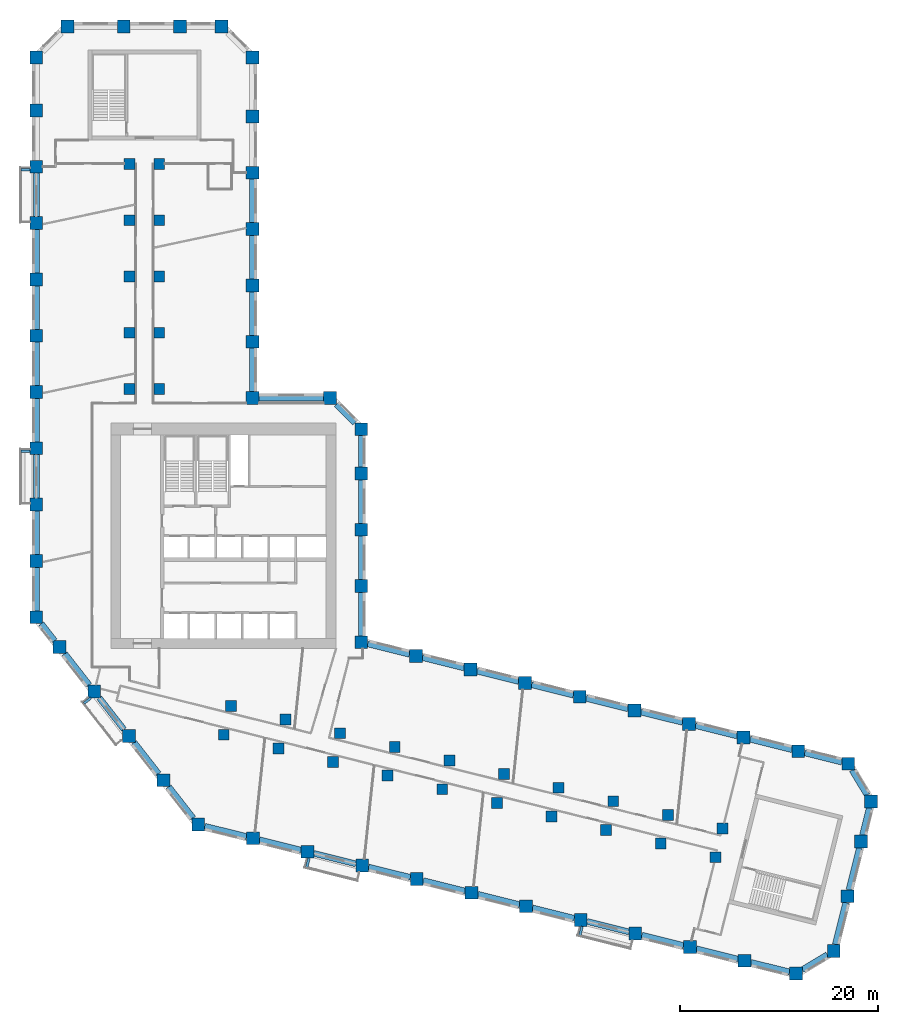
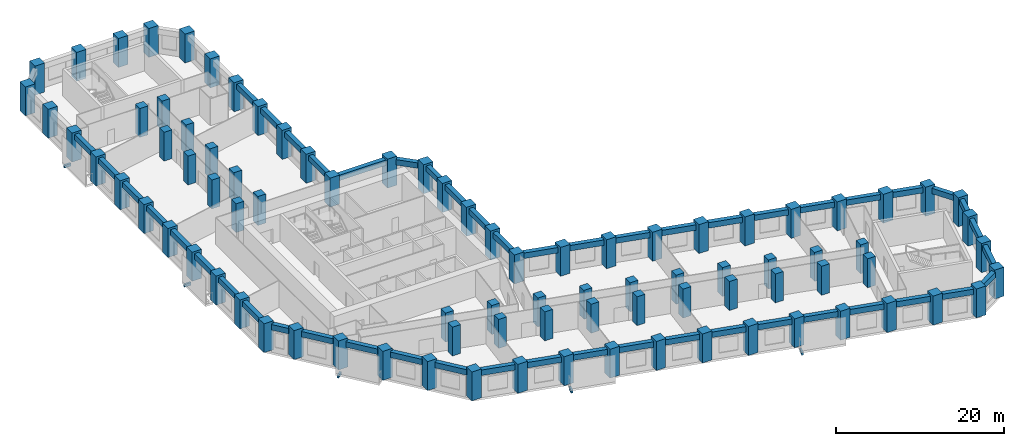
# One storey, part 1 of 11: 87 columns, 53 beams.
"""IFC4 building model written with IfcOpenShell, lengths in metres."""

import ifcopenshell
import ifcopenshell.guid

model = None  # the IFC model being written
_history = None  # IfcOwnerHistory: only IFC2X3 demands one
_inside = {}  # id of a spatial element -> (the spatial element, [elements in it])
_under = {}  # id of a project, library or spatial element -> (it, [spatial elements below it])
_declared = {}  # id of a project -> (the project, [libraries it declares])
_typed = {}  # id of a type object -> (the type object, [elements of that type])
_made_of = {}  # id of a material, layer set ... -> (it, [elements and type objects made of it])


def new_model(schema):
    """Start an empty IFC model of exactly this schema.

    Asked for "IFC4X3", IfcOpenShell would pick the latest addendum, in which some entities
    have other attributes; the version numbers below select the first issue.
    IFC2X3 requires an IfcOwnerHistory on every rooted entity: one is made here for all.
    """
    global model, _history
    if schema == "IFC4X3":
        model = ifcopenshell.file(schema_version=(4, 3, 0, 0))
    else:
        model = ifcopenshell.file(schema=schema)
    _inside.clear()
    _under.clear()
    _declared.clear()
    _typed.clear()
    _made_of.clear()
    _history = None
    if model.schema == "IFC2X3":
        org = make("IfcOrganization", Name="unknown")
        user = make(
            "IfcPersonAndOrganization",
            ThePerson=make("IfcPerson", FamilyName="unknown"),
            TheOrganization=org,
        )
        app = make(
            "IfcApplication",
            ApplicationDeveloper=org,
            Version="unknown",
            ApplicationFullName="unknown",
            ApplicationIdentifier="unknown",
        )
        _history = make(
            "IfcOwnerHistory",
            OwningUser=user,
            OwningApplication=app,
            ChangeAction="ADDED",
            CreationDate=0,
        )
    return model


def make(cls, **values):
    """One entity of the class cls with the attributes given. An attribute that is None is left unset."""
    return model.create_entity(
        cls, **{name: value for name, value in values.items() if value is not None}
    )


def rooted(cls, **values):
    """An entity with a GlobalId (a new one), such as an element, a storey or a relation."""
    return make(cls, GlobalId=ifcopenshell.guid.new(), OwnerHistory=_history, **values)


def si_unit(unit_type, name, prefix=None):
    """IfcSIUnit, for example si_unit("LENGTHUNIT", "METRE", prefix="MILLI")."""
    return make("IfcSIUnit", UnitType=unit_type, Prefix=prefix, Name=name)


def assignment(units):
    """IfcUnitAssignment: the units of a project."""
    return None if units is None else make("IfcUnitAssignment", Units=units)


def point(xyz):
    """IfcCartesianPoint."""
    return None if xyz is None else make("IfcCartesianPoint", Coordinates=xyz)


def direction(xyz):
    """IfcDirection."""
    return None if xyz is None else make("IfcDirection", DirectionRatios=xyz)


def frame(location, z_axis=None, x_axis=None):
    """IfcAxis2Placement3D, a coordinate frame: its origin and axes. An axis left out is left unset."""
    return make(
        "IfcAxis2Placement3D",
        Location=point(location),
        Axis=direction(z_axis),
        RefDirection=direction(x_axis),
    )


def frame_2d(location, x_axis=None):
    """IfcAxis2Placement2D, a coordinate frame in the plane: its origin and x axis."""
    return make(
        "IfcAxis2Placement2D", Location=point(location), RefDirection=direction(x_axis)
    )


def origin():
    """The frame at (0, 0, 0) with its axes left unset."""
    return frame((0.0, 0.0, 0.0))


def origin_2d():
    """The frame at (0, 0) in the plane with its x axis left unset."""
    return frame_2d((0.0, 0.0))


def place(relative_to, where):
    """IfcLocalPlacement: puts the frame where relative to a parent placement (None: the world)."""
    return make(
        "IfcLocalPlacement", PlacementRelTo=relative_to, RelativePlacement=where
    )


def context(
    kind, dimensions, precision=None, world=None, true_north=None, identifier=None
):
    """IfcGeometricRepresentationContext, for example the 3D "Model" context."""
    return make(
        "IfcGeometricRepresentationContext",
        ContextIdentifier=identifier,
        ContextType=kind,
        CoordinateSpaceDimension=dimensions,
        Precision=precision,
        WorldCoordinateSystem=world,
        TrueNorth=true_north,
    )


def subcontext(parent, identifier, kind, view, scale=None):
    """IfcGeometricRepresentationSubContext, for example "Body" below "Model"."""
    return make(
        "IfcGeometricRepresentationSubContext",
        ContextIdentifier=identifier,
        ContextType=kind,
        ParentContext=parent,
        TargetScale=scale,
        TargetView=view,
    )


def project(units=None, contexts=None):
    """IfcProject with its units and contexts."""
    return rooted(
        "IfcProject",
        Name="project",
        RepresentationContexts=contexts,
        UnitsInContext=assignment(units),
    )


def spatial(cls, under=None, at=None, **own):
    """A site, building, storey or space (cls), placed at a placement, below another one or the project."""
    s = rooted(cls, ObjectPlacement=at, **own)
    if under is not None:
        _under.setdefault(under.id(), (under, []))[1].append(s)
    return s


def profile(cls, at=None, kind="AREA", **sizes):
    """A parametric profile (cls). Its sizes go by their IFC names, for example OverallWidth=200.0."""
    return make(cls, ProfileType=kind, Position=at, **sizes)


def rectangle(**sizes):
    """IfcRectangleProfileDef."""
    return profile("IfcRectangleProfileDef", **sizes)


def extrude(swept, where, along, depth):
    """IfcExtrudedAreaSolid: the profile swept, set in the frame where, extruded along a direction by depth."""
    return make(
        "IfcExtrudedAreaSolid",
        SweptArea=swept,
        Position=where,
        ExtrudedDirection=direction(along),
        Depth=depth,
    )


def shape(context_of_items, identifier, shape_type, items):
    """IfcShapeRepresentation: the items that make up one representation, for example the "Body"."""
    return make(
        "IfcShapeRepresentation",
        ContextOfItems=context_of_items,
        RepresentationIdentifier=identifier,
        RepresentationType=shape_type,
        Items=items,
    )


def material(Name=None, Category=None):
    """IfcMaterial."""
    return make("IfcMaterial", Name=Name, Category=Category)


def material_profile(
    of_material, cross_section, Name=None, Category=None, Priority=None
):
    """IfcMaterialProfile: a cross section and its material."""
    return make(
        "IfcMaterialProfile",
        Name=Name,
        Material=of_material,
        Profile=cross_section,
        Priority=Priority,
        Category=Category,
    )


def profile_set(profiles, Name=None, composite=None):
    """IfcMaterialProfileSet."""
    return make(
        "IfcMaterialProfileSet",
        Name=Name,
        MaterialProfiles=profiles,
        CompositeProfile=composite,
    )


def made_of(thing, what):
    """Note that an element or type object is made of a material, layer set ...; save() writes the relation."""
    if what is not None:
        _made_of.setdefault(what.id(), (what, []))[1].append(thing)
    return thing


def type_object(cls, material=None, **own):
    """A type object (cls), such as IfcWallType, which elements share."""
    return made_of(rooted(cls, **own), material)


def element(
    cls,
    number,
    at=None,
    inside=None,
    cuts=None,
    type_object=None,
    material=None,
    context=None,
    identifier="Body",
    shape_type=None,
    held_by="IfcProductDefinitionShape",
    body=None,
    shapes=None,
    **own,
):
    """One element of the class cls, such as IfcWall. Its Tag is "e" and its number.

    at: its placement. inside: the storey or other place that contains it. cuts: it is an
    opening in that element (IfcRelVoidsElement). A single representation is given by context,
    identifier, shape_type and body (its items); several are given by shapes. held_by: the class
    of the entity that holds the representations. save() writes the other relations.
    """
    e = rooted(cls, Tag="e%d" % number, ObjectPlacement=at, **own)
    if body is not None:
        shapes = [shape(context, identifier, shape_type, body)]
    if shapes is not None:
        e.Representation = make(held_by, Representations=shapes)
    if inside is not None:
        _inside.setdefault(inside.id(), (inside, []))[1].append(e)
    if cuts is not None:
        rooted(
            "IfcRelVoidsElement", RelatingBuildingElement=cuts, RelatedOpeningElement=e
        )
    if type_object is not None:
        _typed.setdefault(type_object.id(), (type_object, []))[1].append(e)
    return made_of(e, material)


def aggregate(whole, parts):
    """IfcRelAggregates: a whole, such as a stair, and the parts it consists of."""
    return rooted("IfcRelAggregates", RelatingObject=whole, RelatedObjects=parts)


def save(model, path):
    """Write the relations noted so far, then the file.

    IfcRelAggregates (storeys below a building ...), IfcRelContainedInSpatialStructure (elements
    in a storey), IfcRelDefinesByType, IfcRelAssociatesMaterial and IfcRelDeclares: one each for
    every whole, place, type object, material and project.
    """
    for whole, parts in _under.values():
        aggregate(whole, parts)
    for where, things in _inside.values():
        rooted(
            "IfcRelContainedInSpatialStructure",
            RelatedElements=things,
            RelatingStructure=where,
        )
    for kind, things in _typed.values():
        rooted("IfcRelDefinesByType", RelatedObjects=things, RelatingType=kind)
    for what, things in _made_of.values():
        rooted("IfcRelAssociatesMaterial", RelatedObjects=things, RelatingMaterial=what)
    for by, libraries in _declared.values():
        rooted("IfcRelDeclares", RelatingContext=by, RelatedDefinitions=libraries)
    model.write(path)


model = new_model("IFC4")

# Units and contexts
model_context = context("Model", 3, precision=1e-05, world=origin(), true_north=direction((0.0, 1.0)))
body_context = subcontext(model_context, "Body", "Model", "MODEL_VIEW")
ifc_project = project(units=[si_unit("LENGTHUNIT", "METRE"), si_unit("AREAUNIT", "SQUARE_METRE"), si_unit("VOLUMEUNIT", "CUBIC_METRE"), si_unit("PLANEANGLEUNIT", "RADIAN"), si_unit("MASSUNIT", "GRAM", prefix="KILO")], contexts=[model_context])

# Site, building, storey
site_placement = place(None, origin())
site = spatial("IfcSite", under=ifc_project, at=site_placement, CompositionType="ELEMENT")
building_placement = place(site_placement, origin())
building = spatial("IfcBuilding", under=site, at=building_placement, Name="Meshkara Civic Tower", CompositionType="ELEMENT")
storey_placement = place(building_placement, frame((0.0, 0.0, 139.199951171875)))
storey = spatial("IfcBuildingStorey", under=building, at=storey_placement, Name="L31", CompositionType="ELEMENT", Elevation=139.199951171875)

# Columns
ifc_material_1 = material(Name="Concrete C70", Category="concrete")
ifc_material_profile_1 = material_profile(ifc_material_1, rectangle(XDim=1.10009765625, YDim=1.10009765625, at=origin_2d()))
ifc_profile_set_1 = profile_set([ifc_material_profile_1], Name="Concrete C70")
column_type_1 = type_object("IfcColumnType", Name="Interior column RC 1100x1100 C70", PredefinedType="COLUMN", material=ifc_profile_set_1)
for number, where, z_axis, x_axis, name in (
    (1, (9.89990234375, 40.35009765625, 0.0), (0.0, 0.0, 1.0), (1.0, 0.0, 0.0), "Column SA1-04 L31"),
    (2, (9.89990234375, 46.050048828125, 0.0), (0.0, 0.0, 1.0), (1.0, 0.0, 0.0), "Column SA1-05 L31"),
    (3, (9.89990234375, 51.75, 0.0), (0.0, 0.0, 1.0), (1.0, 0.0, 0.0), "Column SA1-06 L31"),
    (4, (9.89990234375, 57.449951171875, 0.0), (0.0, 0.0, 1.0), (1.0, 0.0, 0.0), "Column SA1-07 L31"),
    (5, (9.89990234375, 63.14990234375, 0.0), (0.0, 0.0, 1.0), (1.0, 0.0, 0.0), "Column SA1-08 L31"),
    (6, (12.89990234375, 40.35009765625, 0.0), (0.0, 0.0, 1.0), (1.0, 0.0, 0.0), "Column SA2-04 L31"),
    (7, (12.89990234375, 46.050048828125, 0.0), (0.0, 0.0, 1.0), (1.0, 0.0, 0.0), "Column SA2-05 L31"),
    (8, (12.89990234375, 51.75, 0.0), (0.0, 0.0, 1.0), (1.0, 0.0, 0.0), "Column SA2-06 L31"),
    (9, (12.89990234375, 57.449951171875, 0.0), (0.0, 0.0, 1.0), (1.0, 0.0, 0.0), "Column SA2-07 L31"),
    (10, (12.89990234375, 63.14990234375, 0.0), (0.0, 0.0, 1.0), (1.0, 0.0, 0.0), "Column SA2-08 L31"),
    (11, (19.424072265625, 5.360107421875, 0.0), (0.0, 0.0, 1.0), (1.0, 0.0, 0.0), "Column SB1-00 L31"),
    (12, (24.9541015625, 3.98095703125, 0.0), (0.0, 0.0, 1.0), (1.0, 0.0, 0.0), "Column SB1-01 L31"),
    (13, (30.485107421875, 2.60205078125, 0.0), (0.0, 0.0, 1.0), (1.0, 0.0, 0.0), "Column SB1-02 L31"),
    (14, (36.01611328125, 1.222900390625, 0.0), (0.0, 0.0, 1.0), (1.0, 0.0, 0.0), "Column SB1-03 L31"),
    (15, (41.5458984375, -0.156005859375, 0.0), (0.0, 0.0, 1.0), (1.0, 0.0, 0.0), "Column SB1-04 L31"),
    (16, (47.076904296875, -1.534912109375, 0.0), (0.0, 0.0, 1.0), (1.0, 0.0, 0.0), "Column SB1-05 L31"),
    (17, (52.60791015625, -2.9140625, 0.0), (0.0, 0.0, 1.0), (1.0, 0.0, 0.0), "Column SB1-06 L31"),
    (18, (58.138916015625, -4.2919921875, 0.0), (0.0, 0.0, 1.0), (1.0, 0.0, 0.0), "Column SB1-07 L31"),
    (19, (63.6689453125, -5.6708984375, 0.0), (0.0, 0.0, 1.0), (1.0, 0.0, 0.0), "Column SB1-08 L31"),
    (20, (69.199951171875, -7.050048828125, 0.0), (0.0, 0.0, 1.0), (1.0, 0.0, 0.0), "Column SB1-09 L31"),
    (21, (20.14892578125, 8.27099609375, 0.0), (0.0, 0.0, 1.0), (1.0, 0.0, 0.0), "Column SB2-00 L31"),
    (22, (25.679931640625, 6.89208984375, 0.0), (0.0, 0.0, 1.0), (1.0, 0.0, 0.0), "Column SB2-01 L31"),
    (23, (31.2109375, 5.512939453125, 0.0), (0.0, 0.0, 1.0), (1.0, 0.0, 0.0), "Column SB2-02 L31"),
    (24, (36.741943359375, 4.134033203125, 0.0), (0.0, 0.0, 1.0), (1.0, 0.0, 0.0), "Column SB2-03 L31"),
    (25, (42.27197265625, 2.7548828125, 0.0), (0.0, 0.0, 1.0), (1.0, 0.0, 0.0), "Column SB2-04 L31"),
    (26, (47.802978515625, 1.3759765625, 0.0), (0.0, 0.0, 1.0), (1.0, 0.0, 0.0), "Column SB2-05 L31"),
    (27, (53.333984375, -0.0029296875, 0.0), (0.0, 0.0, 1.0), (1.0, 0.0, 0.0), "Column SB2-06 L31"),
    (28, (58.864013671875, -1.382080078125, 0.0), (0.0, 0.0, 1.0), (1.0, 0.0, 0.0), "Column SB2-07 L31"),
    (29, (64.39501953125, -2.760986328125, 0.0), (0.0, 0.0, 1.0), (1.0, 0.0, 0.0), "Column SB2-08 L31"),
    (30, (69.926025390625, -4.139892578125, 0.0), (0.0, 0.0, 1.0), (1.0, 0.0, 0.0), "Column SB2-09 L31"),
):
    element("IfcColumn", number, at=place(storey_placement, frame(where, z_axis=z_axis, x_axis=x_axis)), inside=storey, type_object=column_type_1, Name=name, PredefinedType="COLUMN", context=body_context, shape_type="SweptSolid", body=[
        extrude(rectangle(XDim=1.10009765625, YDim=1.10009765625, at=origin_2d()), origin(), (0.0, 0.0, 1.0), 4.199951171875),
    ])
ifc_material_2 = material(Name="Concrete C70", Category="concrete")
ifc_material_profile_2 = material_profile(ifc_material_2, rectangle(XDim=1.300048828125, YDim=1.300048828125, at=origin_2d()))
ifc_profile_set_2 = profile_set([ifc_material_profile_2], Name="Concrete C70")
column_type_2 = type_object("IfcColumnType", Name="Perimeter column RC 1300x1300 C70", PredefinedType="COLUMN", material=ifc_profile_set_2)
for number, where, z_axis, x_axis, name in (
    (31, (33.35009765625, 14.718994140625, 0.0), (0.0, 0.0, 1.0), (1.0, 0.0, 0.0), "Column HE00 L31"),
    (32, (33.35009765625, 20.4189453125, 0.0), (0.0, 0.0, 1.0), (1.0, 0.0, 0.0), "Column HE01 L31"),
    (33, (33.35009765625, 26.118896484375, 0.0), (0.0, 0.0, 1.0), (1.0, 0.0, 0.0), "Column HE02 L31"),
    (34, (33.35009765625, 31.819091796875, 0.0), (0.0, 0.0, 1.0), (1.0, 0.0, 0.0), "Column HE03 L31"),
    (35, (33.35009765625, 36.2939453125, 0.0), (0.0, 0.0, 1.0), (1.0, 0.0, 0.0), "Column HEE L31"),
    (36, (30.194091796875, 39.449951171875, 0.0), (0.0, 0.0, 1.0), (1.0, 0.0, 0.0), "Column HCeE L31"),
    (37, (22.35009765625, 39.449951171875, 0.0), (0.0, 0.0, 1.0), (1.0, 0.0, 0.0), "Column HN00 L31"),
    (38, (22.35009765625, 45.14990234375, 0.0), (0.0, 0.0, 1.0), (1.0, 0.0, 0.0), "Column AE01 L31"),
    (39, (22.35009765625, 50.85009765625, 0.0), (0.0, 0.0, 1.0), (1.0, 0.0, 0.0), "Column AE02 L31"),
    (40, (22.35009765625, 56.550048828125, 0.0), (0.0, 0.0, 1.0), (1.0, 0.0, 0.0), "Column AE03 L31"),
    (41, (22.35009765625, 62.25, 0.0), (0.0, 0.0, 1.0), (1.0, 0.0, 0.0), "Column AE04 L31"),
    (42, (22.35009765625, 67.949951171875, 0.0), (0.0, 0.0, 1.0), (1.0, 0.0, 0.0), "Column AE05 L31"),
    (43, (22.35009765625, 73.9140625, 0.0), (0.0, 0.0, 1.0), (1.0, 0.0, 0.0), "Column AEEP1 L31"),
    (44, (19.194091796875, 77.070068359375, 0.0), (0.0, 0.0, 1.0), (1.0, 0.0, 0.0), "Column ATiEP1 L31"),
    (45, (3.60595703125, 77.070068359375, 0.0), (0.0, 0.0, 1.0), (1.0, 0.0, 0.0), "Column AT00-P1 L31"),
    (46, (9.305908203125, 77.070068359375, 0.0), (0.0, 0.0, 1.0), (1.0, 0.0, 0.0), "Column AT01-P1 L31"),
    (47, (15.006103515625, 77.070068359375, 0.0), (0.0, 0.0, 1.0), (1.0, 0.0, 0.0), "Column AT02-P1 L31"),
    (48, (0.449951171875, 73.9140625, 0.0), (0.0, 0.0, 1.0), (1.0, 0.0, 0.0), "Column ATo00-P1 L31"),
    (49, (0.449951171875, 17.2548828125, 0.0), (0.0, 0.0, 1.0), (1.0, 0.0, 0.0), "Column AW00 L31"),
    (50, (0.449951171875, 22.955078125, 0.0), (0.0, 0.0, 1.0), (1.0, 0.0, 0.0), "Column AW01 L31"),
    (51, (0.449951171875, 28.655029296875, 0.0), (0.0, 0.0, 1.0), (1.0, 0.0, 0.0), "Column AW02 L31"),
    (52, (0.449951171875, 34.35498046875, 0.0), (0.0, 0.0, 1.0), (1.0, 0.0, 0.0), "Column AW03 L31"),
    (53, (0.449951171875, 40.054931640625, 0.0), (0.0, 0.0, 1.0), (1.0, 0.0, 0.0), "Column AW04 L31"),
    (54, (0.449951171875, 45.7548828125, 0.0), (0.0, 0.0, 1.0), (1.0, 0.0, 0.0), "Column AW05 L31"),
    (55, (0.449951171875, 51.455078125, 0.0), (0.0, 0.0, 1.0), (1.0, 0.0, 0.0), "Column AW06 L31"),
    (56, (0.449951171875, 57.155029296875, 0.0), (0.0, 0.0, 1.0), (1.0, 0.0, 0.0), "Column AW07 L31"),
    (57, (0.449951171875, 62.85498046875, 0.0), (0.0, 0.0, 1.0), (1.0, 0.0, 0.0), "Column AW08 L31"),
    (58, (0.449951171875, 68.554931640625, 0.0), (0.0, 0.0, 1.0), (1.0, 0.0, 0.0), "Column AW09 L31"),
    (59, (16.85107421875, -3.738037109375, 0.0), (0.0, 0.0, 1.0), (1.0, 0.0, 0.0), "Column BOW00 L31"),
    (60, (13.342041015625, 0.75390625, 0.0), (0.0, 0.0, 1.0), (1.0, 0.0, 0.0), "Column BOW01 L31"),
    (61, (9.8330078125, 5.2451171875, 0.0), (0.0, 0.0, 1.0), (1.0, 0.0, 0.0), "Column BOW02 L31"),
    (62, (6.322998046875, 9.737060546875, 0.0), (0.0, 0.0, 1.0), (1.0, 0.0, 0.0), "Column BOW03 L31"),
    (63, (2.81396484375, 14.22900390625, 0.0), (0.0, 0.0, 1.0), (1.0, 0.0, 0.0), "Column BOW04 L31"),
    (64, (22.382080078125, -5.116943359375, 0.0), (0.0, 0.0, 1.0), (1.0, 0.0, 0.0), "Column BS01 L31"),
    (65, (27.912109375, -6.49609375, 0.0), (0.0, 0.0, 1.0), (1.0, 0.0, 0.0), "Column BS02 L31"),
    (66, (33.443115234375, -7.875, 0.0), (0.0, 0.0, 1.0), (1.0, 0.0, 0.0), "Column BS03 L31"),
    (67, (38.97412109375, -9.2529296875, 0.0), (0.0, 0.0, 1.0), (1.0, 0.0, 0.0), "Column BS04-P1 L31"),
    (68, (44.5048828125, -10.632080078125, 0.0), (0.0, 0.0, 1.0), (1.0, 0.0, 0.0), "Column BS05 L31"),
    (69, (50.034912109375, -12.010986328125, 0.0), (0.0, 0.0, 1.0), (1.0, 0.0, 0.0), "Column BS06 L31"),
    (70, (55.56591796875, -13.389892578125, 0.0), (0.0, 0.0, 1.0), (1.0, 0.0, 0.0), "Column BS07 L31"),
    (71, (61.096923828125, -14.76904296875, 0.0), (0.0, 0.0, 1.0), (1.0, 0.0, 0.0), "Column BS08 L31"),
    (72, (66.626953125, -16.14794921875, 0.0), (0.0, 0.0, 1.0), (1.0, 0.0, 0.0), "Column BS09 L31"),
    (73, (72.157958984375, -17.527099609375, 0.0), (0.0, 0.0, 1.0), (1.0, 0.0, 0.0), "Column BS10 L31"),
    (74, (77.35791015625, -18.822998046875, 0.0), (0.0, 0.0, 1.0), (1.0, 0.0, 0.0), "Column BSEP1 L31"),
    (75, (81.18310546875, -16.52392578125, 0.0), (0.0, 0.0, 1.0), (1.0, 0.0, 0.0), "Column BToEP1 L31"),
    (76, (82.56201171875, -10.992919921875, 0.0), (0.0, 0.0, 1.0), (1.0, 0.0, 0.0), "Column BT01-P1 L31"),
    (77, (83.94091796875, -5.462890625, 0.0), (0.0, 0.0, 1.0), (1.0, 0.0, 0.0), "Column BT02-P1 L31"),
    (78, (84.9541015625, -1.39990234375, 0.0), (0.0, 0.0, 1.0), (1.0, 0.0, 0.0), "Column BTEP1 L31"),
    (79, (82.655029296875, 2.425048828125, 0.0), (0.0, 0.0, 1.0), (1.0, 0.0, 0.0), "Column BTi00-P1 L31"),
    (80, (38.881103515625, 13.340087890625, 0.0), (0.0, 0.0, 1.0), (1.0, 0.0, 0.0), "Column BN01 L31"),
    (81, (44.410888671875, 11.9609375, 0.0), (0.0, 0.0, 1.0), (1.0, 0.0, 0.0), "Column BN02 L31"),
    (82, (49.94189453125, 10.58203125, 0.0), (0.0, 0.0, 1.0), (1.0, 0.0, 0.0), "Column BN03 L31"),
    (83, (55.472900390625, 9.202880859375, 0.0), (0.0, 0.0, 1.0), (1.0, 0.0, 0.0), "Column BN04 L31"),
    (84, (61.0029296875, 7.823974609375, 0.0), (0.0, 0.0, 1.0), (1.0, 0.0, 0.0), "Column BN05 L31"),
    (85, (66.533935546875, 6.445068359375, 0.0), (0.0, 0.0, 1.0), (1.0, 0.0, 0.0), "Column BN06 L31"),
    (86, (72.06494140625, 5.06591796875, 0.0), (0.0, 0.0, 1.0), (1.0, 0.0, 0.0), "Column BN07 L31"),
    (87, (77.594970703125, 3.68701171875, 0.0), (0.0, 0.0, 1.0), (1.0, 0.0, 0.0), "Column BN08 L31"),
):
    element("IfcColumn", number, at=place(storey_placement, frame(where, z_axis=z_axis, x_axis=x_axis)), inside=storey, type_object=column_type_2, Name=name, PredefinedType="COLUMN", context=body_context, shape_type="SweptSolid", body=[
        extrude(rectangle(XDim=1.300048828125, YDim=1.300048828125, at=origin_2d()), origin(), (0.0, 0.0, 1.0), 4.199951171875),
    ])

# Beams
ifc_material_3 = material(Name="Concrete C50", Category="concrete")
ifc_material_profile_3 = material_profile(ifc_material_3, rectangle(XDim=0.25, YDim=0.39990234375, at=origin_2d()))
ifc_profile_set_3 = profile_set([ifc_material_profile_3], Name="Concrete C50")
beam_type_1 = type_object("IfcBeamType", Name="Balcony bracket beam RC 250x400 C50", PredefinedType="BEAM", material=ifc_profile_set_3)
for number, where, z_axis, x_axis, name in (
    (88, (-0.195068359375, 62.554931640625, -0.5), (-1.0, 0.0, 0.0), (0.0, -1.0, 0.0), "Balcony bracket beam"),
    (89, (-0.195068359375, 34.054931640625, -0.5), (-1.0, 0.0, 0.0), (0.0, -1.0, 0.0), "Balcony bracket beam"),
):
    element("IfcBeam", number, at=place(storey_placement, frame(where, z_axis=z_axis, x_axis=x_axis)), inside=storey, type_object=beam_type_1, Name=name, PredefinedType="BEAM", context=body_context, shape_type="SweptSolid", body=[
        extrude(rectangle(XDim=0.25, YDim=0.39990234375, at=origin_2d()), origin(), (0.0, 0.0, 1.0), 0.905029296875),
    ])
beam_1_placement = place(storey_placement, frame((5.98193359375, 9.090087890625, -0.5), z_axis=(-0.787948814224, -0.615740745901, 0.0), x_axis=(0.615740745901, -0.787948814224, 0.0)))
element("IfcBeam", 90, at=beam_1_placement, inside=storey, type_object=beam_type_1, Name="Balcony bracket beam", PredefinedType="BEAM", context=body_context, shape_type="SweptSolid", body=[
    extrude(rectangle(XDim=0.25, YDim=0.39990234375, at=origin_2d()), origin(), (0.0, 0.0, 1.0), 0.8818359375),
])
beam_2_placement = place(storey_placement, frame((28.06005859375, -7.14111328125, -0.5), z_axis=(-0.24199671944, -0.970277067533, 0.0), x_axis=(0.970277067533, -0.24199671944, 0.0)))
element("IfcBeam", 91, at=beam_2_placement, inside=storey, type_object=beam_type_1, Name="Balcony bracket beam", PredefinedType="BEAM", context=body_context, shape_type="SweptSolid", body=[
    extrude(rectangle(XDim=0.25, YDim=0.39990234375, at=origin_2d()), origin(), (0.0, 0.0, 1.0), 0.95947265625),
])
beam_3_placement = place(storey_placement, frame((55.714111328125, -14.034912109375, -0.5), z_axis=(-0.24169832891, -0.970351440357, 0.0), x_axis=(0.970351440357, -0.24169832891, 0.0)))
element("IfcBeam", 92, at=beam_3_placement, inside=storey, type_object=beam_type_1, Name="Balcony bracket beam", PredefinedType="BEAM", context=body_context, shape_type="SweptSolid", body=[
    extrude(rectangle(XDim=0.25, YDim=0.39990234375, at=origin_2d()), origin(), (0.0, 0.0, 1.0), 0.960693359375),
])
ifc_material_4 = material(Name="Concrete C70", Category="concrete")
ifc_material_profile_4 = material_profile(ifc_material_4, rectangle(XDim=0.60009765625, YDim=0.800048828125, at=origin_2d()))
ifc_profile_set_4 = profile_set([ifc_material_profile_4], Name="Concrete C70")
beam_type_2 = type_object("IfcBeamType", Name="Spandrel beam RC 600x800 C70", PredefinedType="BEAM", material=ifc_profile_set_4)
beam_4_placement = place(storey_placement, frame((76.949951171875, 3.847900390625, 3.5), z_axis=(-0.970293497888, 0.241930832999, 0.0), x_axis=(-0.241930832999, -0.970293497888, 0.0)))
element("IfcBeam", 93, at=beam_4_placement, inside=storey, type_object=beam_type_2, Name="Spandrel beam BN07-BN08", PredefinedType="BEAM", context=body_context, shape_type="SweptSolid", body=[
    extrude(rectangle(XDim=0.60009765625, YDim=0.800048828125, at=origin_2d()), origin(), (0.0, 0.0, 1.0), 4.36962890625),
])
for number, where, z_axis, x_axis, name in (
    (94, (71.419921875, 5.226806640625, 3.5), (-0.970293463154, 0.241930972304, 0.0), (-0.241930972304, -0.970293463154, 0.0), "Spandrel beam BN06-BN07"),
    (95, (65.888916015625, 6.605712890625, 3.5), (-0.970293463154, 0.241930972304, 0.0), (-0.241930972304, -0.970293463154, 0.0), "Spandrel beam BN05-BN06"),
):
    element("IfcBeam", number, at=place(storey_placement, frame(where, z_axis=z_axis, x_axis=x_axis)), inside=storey, type_object=beam_type_2, Name=name, PredefinedType="BEAM", context=body_context, shape_type="SweptSolid", body=[
        extrude(rectangle(XDim=0.60009765625, YDim=0.800048828125, at=origin_2d()), origin(), (0.0, 0.0, 1.0), 4.37060546875),
    ])
beam_5_placement = place(storey_placement, frame((60.35791015625, 7.98486328125, 3.5), z_axis=(-0.970293497888, 0.241930832999, 0.0), x_axis=(-0.241930832999, -0.970293497888, 0.0)))
element("IfcBeam", 96, at=beam_5_placement, inside=storey, type_object=beam_type_2, Name="Spandrel beam BN04-BN05", PredefinedType="BEAM", context=body_context, shape_type="SweptSolid", body=[
    extrude(rectangle(XDim=0.60009765625, YDim=0.800048828125, at=origin_2d()), origin(), (0.0, 0.0, 1.0), 4.36962890625),
])
for number, where, z_axis, x_axis, name in (
    (97, (54.827880859375, 9.36376953125, 3.5), (-0.970293463154, 0.241930972304, 0.0), (-0.241930972304, -0.970293463154, 0.0), "Spandrel beam BN03-BN04"),
    (98, (49.296875, 10.742919921875, 3.5), (-0.970293463154, 0.241930972304, 0.0), (-0.241930972304, -0.970293463154, 0.0), "Spandrel beam BN02-BN03"),
):
    element("IfcBeam", number, at=place(storey_placement, frame(where, z_axis=z_axis, x_axis=x_axis)), inside=storey, type_object=beam_type_2, Name=name, PredefinedType="BEAM", context=body_context, shape_type="SweptSolid", body=[
        extrude(rectangle(XDim=0.60009765625, YDim=0.800048828125, at=origin_2d()), origin(), (0.0, 0.0, 1.0), 4.37060546875),
    ])
beam_6_placement = place(storey_placement, frame((43.765869140625, 12.121826171875, 3.5), z_axis=(-0.970280380753, 0.241983434817, 0.0), x_axis=(-0.241983434817, -0.970280380753, 0.0)))
element("IfcBeam", 99, at=beam_6_placement, inside=storey, type_object=beam_type_2, Name="Spandrel beam BN01-BN02", PredefinedType="BEAM", context=body_context, shape_type="SweptSolid", body=[
    extrude(rectangle(XDim=0.60009765625, YDim=0.800048828125, at=origin_2d()), origin(), (0.0, 0.0, 1.0), 4.36962890625),
])
beam_7_placement = place(storey_placement, frame((38.23583984375, 13.500732421875, 3.5), z_axis=(-0.970293463154, 0.241930972304, 0.0), x_axis=(-0.241930972304, -0.970293463154, 0.0)))
element("IfcBeam", 100, at=beam_7_placement, inside=storey, type_object=beam_type_2, Name="Spandrel beam BN01-HE00", PredefinedType="BEAM", context=body_context, shape_type="SweptSolid", body=[
    extrude(rectangle(XDim=0.60009765625, YDim=0.800048828125, at=origin_2d()), origin(), (0.0, 0.0, 1.0), 4.37060546875),
])
beam_8_placement = place(storey_placement, frame((33.35009765625, 15.364013671875, 3.5), z_axis=(0.0, 1.0, 0.0), x_axis=(-1.0, 0.0, 0.0)))
element("IfcBeam", 101, at=beam_8_placement, inside=storey, type_object=beam_type_2, Name="Spandrel beam HE00-HE01", PredefinedType="BEAM", context=body_context, shape_type="SweptSolid", body=[
    extrude(rectangle(XDim=0.60009765625, YDim=0.800048828125, at=origin_2d()), origin(), (0.0, 0.0, 1.0), 4.409912109375),
])
for number, where, z_axis, x_axis, name in (
    (102, (33.35009765625, 21.06396484375, 3.5), (0.0, 1.0, 0.0), (-1.0, 0.0, 0.0), "Spandrel beam HE01-HE02"),
    (103, (33.35009765625, 26.763916015625, 3.5), (0.0, 1.0, 0.0), (-1.0, 0.0, 0.0), "Spandrel beam HE02-HE03"),
):
    element("IfcBeam", number, at=place(storey_placement, frame(where, z_axis=z_axis, x_axis=x_axis)), inside=storey, type_object=beam_type_2, Name=name, PredefinedType="BEAM", context=body_context, shape_type="SweptSolid", body=[
        extrude(rectangle(XDim=0.60009765625, YDim=0.800048828125, at=origin_2d()), origin(), (0.0, 0.0, 1.0), 4.41015625),
    ])
beam_9_placement = place(storey_placement, frame((33.35009765625, 32.464111328125, 3.5), z_axis=(0.0, 1.0, 0.0), x_axis=(-1.0, 0.0, 0.0)))
element("IfcBeam", 104, at=beam_9_placement, inside=storey, type_object=beam_type_2, Name="Spandrel beam HE03-HEE", PredefinedType="BEAM", context=body_context, shape_type="SweptSolid", body=[
    extrude(rectangle(XDim=0.60009765625, YDim=0.800048828125, at=origin_2d()), origin(), (0.0, 0.0, 1.0), 3.184814453125),
])
beam_10_placement = place(storey_placement, frame((32.70361328125, 36.9404296875, 3.5), z_axis=(-0.707106781187, 0.707106781187, 0.0), x_axis=(-0.707106781187, -0.707106781187, 0.0)))
element("IfcBeam", 105, at=beam_10_placement, inside=storey, type_object=beam_type_2, Name="Spandrel beam HCeE-HEE", PredefinedType="BEAM", context=body_context, shape_type="SweptSolid", body=[
    extrude(rectangle(XDim=0.60009765625, YDim=0.800048828125, at=origin_2d()), origin(), (0.0, 0.0, 1.0), 2.634765625),
])
beam_11_placement = place(storey_placement, frame((29.549072265625, 39.449951171875, 3.5), z_axis=(-1.0, 0.0, 0.0), x_axis=(0.0, -1.0, 0.0)))
element("IfcBeam", 106, at=beam_11_placement, inside=storey, type_object=beam_type_2, Name="Spandrel beam HCeE-HN00", PredefinedType="BEAM", context=body_context, shape_type="SweptSolid", body=[
    extrude(rectangle(XDim=0.60009765625, YDim=0.800048828125, at=origin_2d()), origin(), (0.0, 0.0, 1.0), 6.553955078125),
])
beam_12_placement = place(storey_placement, frame((22.35009765625, 40.094970703125, 3.5), z_axis=(0.0, 1.0, 0.0), x_axis=(-1.0, 0.0, 0.0)))
element("IfcBeam", 107, at=beam_12_placement, inside=storey, type_object=beam_type_2, Name="Spandrel beam AE01-HN00", PredefinedType="BEAM", context=body_context, shape_type="SweptSolid", body=[
    extrude(rectangle(XDim=0.60009765625, YDim=0.800048828125, at=origin_2d()), origin(), (0.0, 0.0, 1.0), 4.409912109375),
])
beam_13_placement = place(storey_placement, frame((22.35009765625, 45.794921875, 3.5), z_axis=(0.0, 1.0, 0.0), x_axis=(-1.0, 0.0, 0.0)))
element("IfcBeam", 108, at=beam_13_placement, inside=storey, type_object=beam_type_2, Name="Spandrel beam AE01-AE02", PredefinedType="BEAM", context=body_context, shape_type="SweptSolid", body=[
    extrude(rectangle(XDim=0.60009765625, YDim=0.800048828125, at=origin_2d()), origin(), (0.0, 0.0, 1.0), 4.41015625),
])
for number, where, z_axis, x_axis, name in (
    (109, (22.35009765625, 51.4951171875, 3.5), (0.0, 1.0, 0.0), (-1.0, 0.0, 0.0), "Spandrel beam AE02-AE03"),
    (110, (22.35009765625, 57.195068359375, 3.5), (0.0, 1.0, 0.0), (-1.0, 0.0, 0.0), "Spandrel beam AE03-AE04"),
    (111, (0.449951171875, 62.2099609375, 3.5), (0.0, -1.0, 0.0), (1.0, 0.0, 0.0), "Spandrel beam AW07-AW08"),
    (112, (0.449951171875, 56.510009765625, 3.5), (0.0, -1.0, 0.0), (1.0, 0.0, 0.0), "Spandrel beam AW06-AW07"),
):
    element("IfcBeam", number, at=place(storey_placement, frame(where, z_axis=z_axis, x_axis=x_axis)), inside=storey, type_object=beam_type_2, Name=name, PredefinedType="BEAM", context=body_context, shape_type="SweptSolid", body=[
        extrude(rectangle(XDim=0.60009765625, YDim=0.800048828125, at=origin_2d()), origin(), (0.0, 0.0, 1.0), 4.409912109375),
    ])
for number, where, z_axis, x_axis, name in (
    (113, (0.449951171875, 50.81005859375, 3.5), (0.0, -1.0, 0.0), (1.0, 0.0, 0.0), "Spandrel beam AW05-AW06"),
    (114, (0.449951171875, 45.110107421875, 3.5), (0.0, -1.0, 0.0), (1.0, 0.0, 0.0), "Spandrel beam AW04-AW05"),
):
    element("IfcBeam", number, at=place(storey_placement, frame(where, z_axis=z_axis, x_axis=x_axis)), inside=storey, type_object=beam_type_2, Name=name, PredefinedType="BEAM", context=body_context, shape_type="SweptSolid", body=[
        extrude(rectangle(XDim=0.60009765625, YDim=0.800048828125, at=origin_2d()), origin(), (0.0, 0.0, 1.0), 4.41015625),
    ])
for number, where, z_axis, x_axis, name in (
    (115, (0.449951171875, 39.409912109375, 3.5), (0.0, -1.0, 0.0), (1.0, 0.0, 0.0), "Spandrel beam AW03-AW04"),
    (116, (0.449951171875, 33.7099609375, 3.5), (0.0, -1.0, 0.0), (1.0, 0.0, 0.0), "Spandrel beam AW02-AW03"),
    (117, (0.449951171875, 28.010009765625, 3.5), (0.0, -1.0, 0.0), (1.0, 0.0, 0.0), "Spandrel beam AW01-AW02"),
):
    element("IfcBeam", number, at=place(storey_placement, frame(where, z_axis=z_axis, x_axis=x_axis)), inside=storey, type_object=beam_type_2, Name=name, PredefinedType="BEAM", context=body_context, shape_type="SweptSolid", body=[
        extrude(rectangle(XDim=0.60009765625, YDim=0.800048828125, at=origin_2d()), origin(), (0.0, 0.0, 1.0), 4.409912109375),
    ])
beam_14_placement = place(storey_placement, frame((0.449951171875, 22.31005859375, 3.5), z_axis=(0.0, -1.0, 0.0), x_axis=(1.0, 0.0, 0.0)))
element("IfcBeam", 118, at=beam_14_placement, inside=storey, type_object=beam_type_2, Name="Spandrel beam AW00-AW01", PredefinedType="BEAM", context=body_context, shape_type="SweptSolid", body=[
    extrude(rectangle(XDim=0.60009765625, YDim=0.800048828125, at=origin_2d()), origin(), (0.0, 0.0, 1.0), 4.41015625),
])
beam_15_placement = place(storey_placement, frame((0.95458984375, 16.60888671875, 3.5), z_axis=(0.61568279769, -0.787994094286, 0.0), x_axis=(0.787994094286, 0.61568279769, 0.0)))
element("IfcBeam", 119, at=beam_15_placement, inside=storey, type_object=beam_type_2, Name="Spandrel beam AW00-BOW04", PredefinedType="BEAM", context=body_context, shape_type="SweptSolid", body=[
    extrude(rectangle(XDim=0.60009765625, YDim=0.800048828125, at=origin_2d()), origin(), (0.0, 0.0, 1.0), 2.200439453125),
])
beam_16_placement = place(storey_placement, frame((3.318603515625, 13.5830078125, 3.5), z_axis=(0.615612539127, -0.788048984309, 0.0), x_axis=(0.788048984309, 0.615612539127, 0.0)))
element("IfcBeam", 120, at=beam_16_placement, inside=storey, type_object=beam_type_2, Name="Spandrel beam BOW03-BOW04", PredefinedType="BEAM", context=body_context, shape_type="SweptSolid", body=[
    extrude(rectangle(XDim=0.60009765625, YDim=0.800048828125, at=origin_2d()), origin(), (0.0, 0.0, 1.0), 4.060546875),
])
beam_17_placement = place(storey_placement, frame((6.827880859375, 9.0908203125, 3.5), z_axis=(0.615716376188, -0.787967857272, 0.0), x_axis=(0.787967857272, 0.615716376188, 0.0)))
element("IfcBeam", 121, at=beam_17_placement, inside=storey, type_object=beam_type_2, Name="Spandrel beam BOW02-BOW03", PredefinedType="BEAM", context=body_context, shape_type="SweptSolid", body=[
    extrude(rectangle(XDim=0.60009765625, YDim=0.800048828125, at=origin_2d()), origin(), (0.0, 0.0, 1.0), 4.060791015625),
])
beam_18_placement = place(storey_placement, frame((10.337890625, 4.598876953125, 3.5), z_axis=(0.61568372316, -0.787993371188, 0.0), x_axis=(0.787993371188, 0.61568372316, 0.0)))
element("IfcBeam", 122, at=beam_18_placement, inside=storey, type_object=beam_type_2, Name="Spandrel beam BOW01-BOW02", PredefinedType="BEAM", context=body_context, shape_type="SweptSolid", body=[
    extrude(rectangle(XDim=0.60009765625, YDim=0.800048828125, at=origin_2d()), origin(), (0.0, 0.0, 1.0), 4.059326171875),
])
beam_19_placement = place(storey_placement, frame((13.8466796875, 0.10791015625, 3.5), z_axis=(0.615604368214, -0.78805536724, 0.0), x_axis=(0.78805536724, 0.615604368214, 0.0)))
element("IfcBeam", 123, at=beam_19_placement, inside=storey, type_object=beam_type_2, Name="Spandrel beam BOW00-BOW01", PredefinedType="BEAM", context=body_context, shape_type="SweptSolid", body=[
    extrude(rectangle(XDim=0.60009765625, YDim=0.800048828125, at=origin_2d()), origin(), (0.0, 0.0, 1.0), 4.060302734375),
])
beam_20_placement = place(storey_placement, frame((17.49609375, -3.898681640625, 3.5), z_axis=(0.970280349033, -0.241983562004, 0.0), x_axis=(0.241983562004, 0.970280349033, 0.0)))
element("IfcBeam", 124, at=beam_20_placement, inside=storey, type_object=beam_type_2, Name="Spandrel beam BOW00-BS01", PredefinedType="BEAM", context=body_context, shape_type="SweptSolid", body=[
    extrude(rectangle(XDim=0.60009765625, YDim=0.800048828125, at=origin_2d()), origin(), (0.0, 0.0, 1.0), 4.37060546875),
])
beam_21_placement = place(storey_placement, frame((23.027099609375, -5.27783203125, 3.5), z_axis=(0.970280380753, -0.241983434817, 0.0), x_axis=(0.241983434817, 0.970280380753, 0.0)))
element("IfcBeam", 125, at=beam_21_placement, inside=storey, type_object=beam_type_2, Name="Spandrel beam BS01-BS02", PredefinedType="BEAM", context=body_context, shape_type="SweptSolid", body=[
    extrude(rectangle(XDim=0.60009765625, YDim=0.800048828125, at=origin_2d()), origin(), (0.0, 0.0, 1.0), 4.36962890625),
])
beam_22_placement = place(storey_placement, frame((28.55712890625, -6.65673828125, 3.5), z_axis=(0.970293463154, -0.241930972304, 0.0), x_axis=(0.241930972304, 0.970293463154, 0.0)))
element("IfcBeam", 126, at=beam_22_placement, inside=storey, type_object=beam_type_2, Name="Spandrel beam BS02-BS03", PredefinedType="BEAM", context=body_context, shape_type="SweptSolid", body=[
    extrude(rectangle(XDim=0.60009765625, YDim=0.800048828125, at=origin_2d()), origin(), (0.0, 0.0, 1.0), 4.37060546875),
])
beam_23_placement = place(storey_placement, frame((34.088134765625, -8.03564453125, 3.5), z_axis=(0.97033279054, -0.241773190412, 0.0), x_axis=(0.241773190412, 0.97033279054, 0.0)))
element("IfcBeam", 127, at=beam_23_placement, inside=storey, type_object=beam_type_2, Name="Spandrel beam BS03-BS04-P1", PredefinedType="BEAM", context=body_context, shape_type="SweptSolid", body=[
    extrude(rectangle(XDim=0.60009765625, YDim=0.800048828125, at=origin_2d()), origin(), (0.0, 0.0, 1.0), 4.370361328125),
])
beam_24_placement = place(storey_placement, frame((39.619140625, -9.413818359375, 3.5), z_axis=(0.970293463154, -0.241930972304, 0.0), x_axis=(0.241930972304, 0.970293463154, 0.0)))
element("IfcBeam", 128, at=beam_24_placement, inside=storey, type_object=beam_type_2, Name="Spandrel beam BS04-P1-BS05", PredefinedType="BEAM", context=body_context, shape_type="SweptSolid", body=[
    extrude(rectangle(XDim=0.60009765625, YDim=0.800048828125, at=origin_2d()), origin(), (0.0, 0.0, 1.0), 4.37060546875),
])
beam_25_placement = place(storey_placement, frame((45.150146484375, -10.79296875, 3.5), z_axis=(0.970293497888, -0.241930832999, 0.0), x_axis=(0.241930832999, 0.970293497888, 0.0)))
element("IfcBeam", 129, at=beam_25_placement, inside=storey, type_object=beam_type_2, Name="Spandrel beam BS05-BS06", PredefinedType="BEAM", context=body_context, shape_type="SweptSolid", body=[
    extrude(rectangle(XDim=0.60009765625, YDim=0.800048828125, at=origin_2d()), origin(), (0.0, 0.0, 1.0), 4.36962890625),
])
for number, where, z_axis, x_axis, name in (
    (130, (50.68017578125, -12.171875, 3.5), (0.970293463154, -0.241930972304, 0.0), (0.241930972304, 0.970293463154, 0.0), "Spandrel beam BS06-BS07"),
    (131, (56.211181640625, -13.55078125, 3.5), (0.970293463154, -0.241930972304, 0.0), (0.241930972304, 0.970293463154, 0.0), "Spandrel beam BS07-BS08"),
):
    element("IfcBeam", number, at=place(storey_placement, frame(where, z_axis=z_axis, x_axis=x_axis)), inside=storey, type_object=beam_type_2, Name=name, PredefinedType="BEAM", context=body_context, shape_type="SweptSolid", body=[
        extrude(rectangle(XDim=0.60009765625, YDim=0.800048828125, at=origin_2d()), origin(), (0.0, 0.0, 1.0), 4.37060546875),
    ])
beam_26_placement = place(storey_placement, frame((61.7421875, -14.929931640625, 3.5), z_axis=(0.970293497888, -0.241930832999, 0.0), x_axis=(0.241930832999, 0.970293497888, 0.0)))
element("IfcBeam", 132, at=beam_26_placement, inside=storey, type_object=beam_type_2, Name="Spandrel beam BS08-BS09", PredefinedType="BEAM", context=body_context, shape_type="SweptSolid", body=[
    extrude(rectangle(XDim=0.60009765625, YDim=0.800048828125, at=origin_2d()), origin(), (0.0, 0.0, 1.0), 4.36962890625),
])
beam_27_placement = place(storey_placement, frame((67.272216796875, -16.308837890625, 3.5), z_axis=(0.970293463154, -0.241930972304, 0.0), x_axis=(0.241930972304, 0.970293463154, 0.0)))
element("IfcBeam", 133, at=beam_27_placement, inside=storey, type_object=beam_type_2, Name="Spandrel beam BS09-BS10", PredefinedType="BEAM", context=body_context, shape_type="SweptSolid", body=[
    extrude(rectangle(XDim=0.60009765625, YDim=0.800048828125, at=origin_2d()), origin(), (0.0, 0.0, 1.0), 4.37060546875),
])
beam_28_placement = place(storey_placement, frame((72.802978515625, -17.687744140625, 3.5), z_axis=(0.970323993045, -0.241808495551, 0.0), x_axis=(0.241808495551, 0.970323993045, 0.0)))
element("IfcBeam", 134, at=beam_28_placement, inside=storey, type_object=beam_type_2, Name="Spandrel beam BS10-BSEP1", PredefinedType="BEAM", context=body_context, shape_type="SweptSolid", body=[
    extrude(rectangle(XDim=0.60009765625, YDim=0.800048828125, at=origin_2d()), origin(), (0.0, 0.0, 1.0), 4.029541015625),
])
beam_29_placement = place(storey_placement, frame((78.003662109375, -18.434814453125, 3.5), z_axis=(0.857121046107, 0.515115047655, 0.0), x_axis=(-0.515115047655, 0.857121046107, 0.0)))
element("IfcBeam", 135, at=beam_29_placement, inside=storey, type_object=beam_type_2, Name="Spandrel beam BSEP1-BToEP1", PredefinedType="BEAM", context=body_context, shape_type="SweptSolid", body=[
    extrude(rectangle(XDim=0.60009765625, YDim=0.800048828125, at=origin_2d()), origin(), (0.0, 0.0, 1.0), 2.9560546875),
])
beam_30_placement = place(storey_placement, frame((81.34375, -15.87890625, 3.5), z_axis=(0.241930972304, 0.970293463154, 0.0), x_axis=(-0.970293463154, 0.241930972304, 0.0)))
element("IfcBeam", 136, at=beam_30_placement, inside=storey, type_object=beam_type_2, Name="Spandrel beam BT01-P1-BToEP1", PredefinedType="BEAM", context=body_context, shape_type="SweptSolid", body=[
    extrude(rectangle(XDim=0.60009765625, YDim=0.800048828125, at=origin_2d()), origin(), (0.0, 0.0, 1.0), 4.37060546875),
])
beam_31_placement = place(storey_placement, frame((82.722900390625, -10.347900390625, 3.5), z_axis=(0.241930832999, 0.970293497888, 0.0), x_axis=(-0.970293497888, 0.241930832999, 0.0)))
element("IfcBeam", 137, at=beam_31_placement, inside=storey, type_object=beam_type_2, Name="Spandrel beam BT01-P1-BT02-P1", PredefinedType="BEAM", context=body_context, shape_type="SweptSolid", body=[
    extrude(rectangle(XDim=0.60009765625, YDim=0.800048828125, at=origin_2d()), origin(), (0.0, 0.0, 1.0), 4.36962890625),
])
beam_32_placement = place(storey_placement, frame((84.101806640625, -4.81787109375, 3.5), z_axis=(0.241952611346, 0.970288067464, 0.0), x_axis=(-0.970288067464, 0.241952611346, 0.0)))
element("IfcBeam", 138, at=beam_32_placement, inside=storey, type_object=beam_type_2, Name="Spandrel beam BT02-P1-BTEP1", PredefinedType="BEAM", context=body_context, shape_type="SweptSolid", body=[
    extrude(rectangle(XDim=0.60009765625, YDim=0.800048828125, at=origin_2d()), origin(), (0.0, 0.0, 1.0), 2.857666015625),
])
beam_33_placement = place(storey_placement, frame((84.56591796875, -0.75439453125, 3.5), z_axis=(-0.515115047655, 0.857121046107, 0.0), x_axis=(-0.857121046107, -0.515115047655, 0.0)))
element("IfcBeam", 139, at=beam_33_placement, inside=storey, type_object=beam_type_2, Name="Spandrel beam BTEP1-BTi00-P1", PredefinedType="BEAM", context=body_context, shape_type="SweptSolid", body=[
    extrude(rectangle(XDim=0.60009765625, YDim=0.800048828125, at=origin_2d()), origin(), (0.0, 0.0, 1.0), 2.9560546875),
])
beam_34_placement = place(storey_placement, frame((82.010009765625, 2.5859375, 3.5), z_axis=(-0.970282789967, 0.241973774392, 0.0), x_axis=(-0.241973774392, -0.970282789967, 0.0)))
element("IfcBeam", 140, at=beam_34_placement, inside=storey, type_object=beam_type_2, Name="Spandrel beam BN08-BTi00-P1", PredefinedType="BEAM", context=body_context, shape_type="SweptSolid", body=[
    extrude(rectangle(XDim=0.60009765625, YDim=0.800048828125, at=origin_2d()), origin(), (0.0, 0.0, 1.0), 3.885498046875),
])

save(model, "model.ifc")
